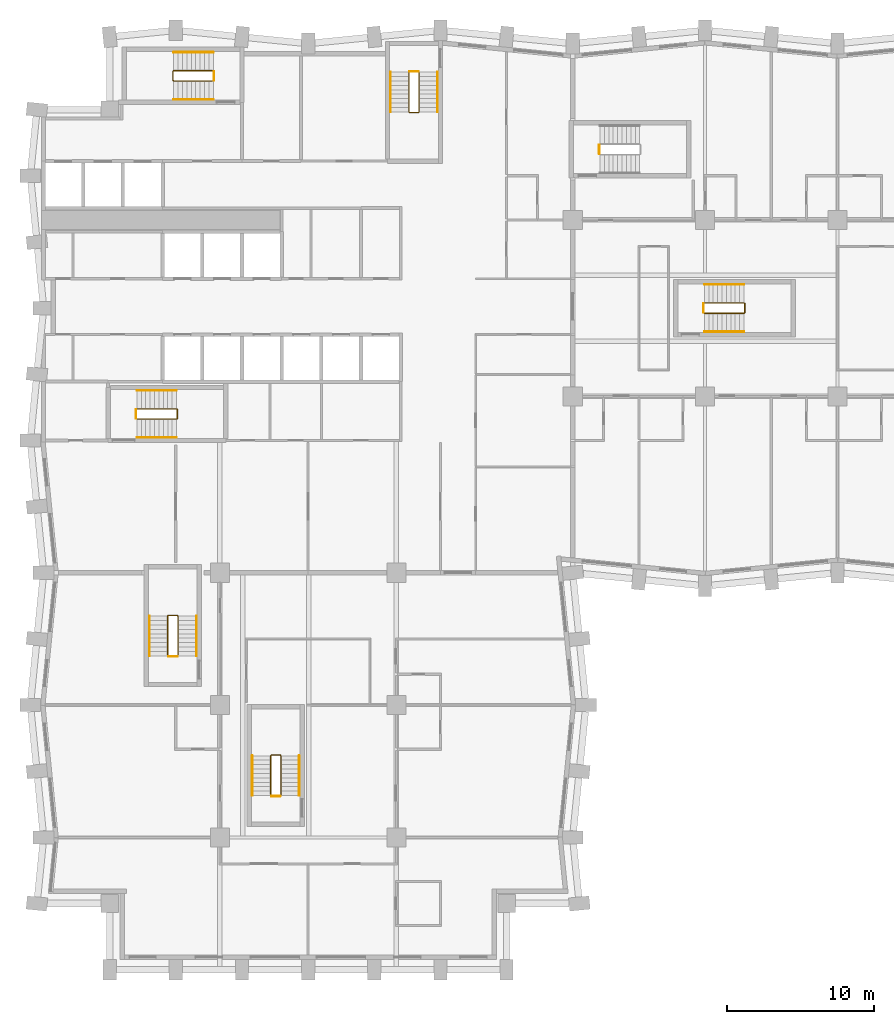
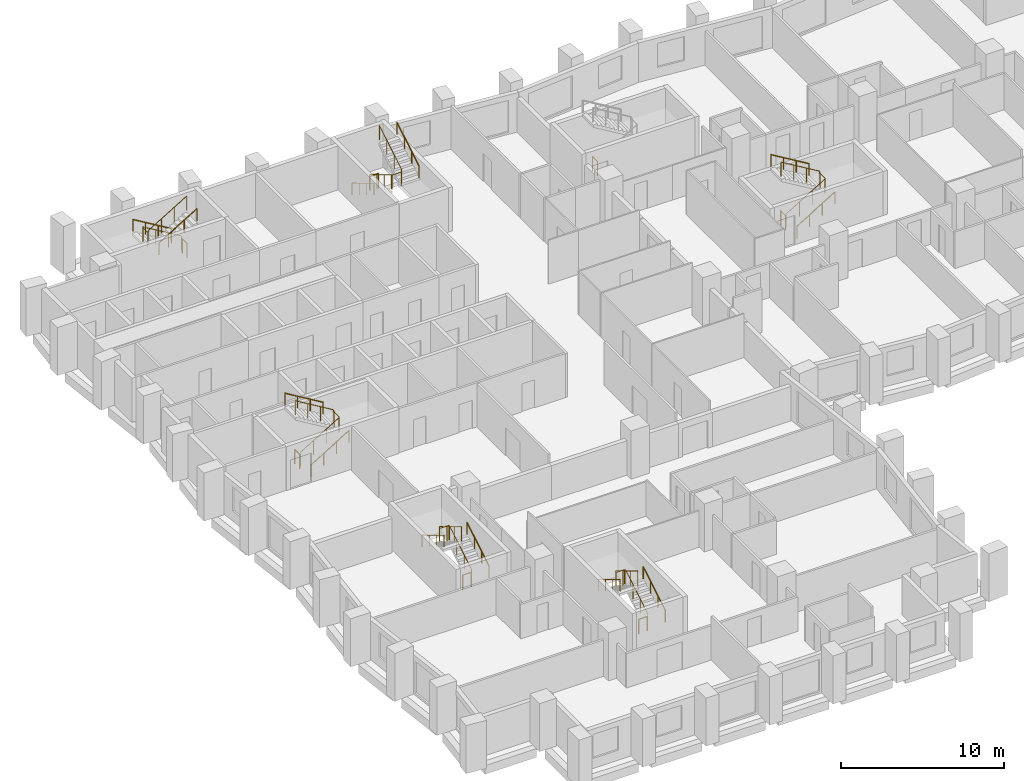
# One storey, part 12 of 13: 25 railings.
"""IFC4 building model written with IfcOpenShell, lengths in metres."""

import ifcopenshell
import ifcopenshell.guid

model = None  # the IFC model being written
_history = None  # IfcOwnerHistory: only IFC2X3 demands one
_inside = {}  # id of a spatial element -> (the spatial element, [elements in it])
_under = {}  # id of a project, library or spatial element -> (it, [spatial elements below it])
_declared = {}  # id of a project -> (the project, [libraries it declares])
_typed = {}  # id of a type object -> (the type object, [elements of that type])
_made_of = {}  # id of a material, layer set ... -> (it, [elements and type objects made of it])


def new_model(schema):
    """Start an empty IFC model of exactly this schema.

    Asked for "IFC4X3", IfcOpenShell would pick the latest addendum, in which some entities
    have other attributes; the version numbers below select the first issue.
    IFC2X3 requires an IfcOwnerHistory on every rooted entity: one is made here for all.
    """
    global model, _history
    if schema == "IFC4X3":
        model = ifcopenshell.file(schema_version=(4, 3, 0, 0))
    else:
        model = ifcopenshell.file(schema=schema)
    _inside.clear()
    _under.clear()
    _declared.clear()
    _typed.clear()
    _made_of.clear()
    _history = None
    if model.schema == "IFC2X3":
        org = make("IfcOrganization", Name="unknown")
        user = make(
            "IfcPersonAndOrganization",
            ThePerson=make("IfcPerson", FamilyName="unknown"),
            TheOrganization=org,
        )
        app = make(
            "IfcApplication",
            ApplicationDeveloper=org,
            Version="unknown",
            ApplicationFullName="unknown",
            ApplicationIdentifier="unknown",
        )
        _history = make(
            "IfcOwnerHistory",
            OwningUser=user,
            OwningApplication=app,
            ChangeAction="ADDED",
            CreationDate=0,
        )
    return model


def make(cls, **values):
    """One entity of the class cls with the attributes given. An attribute that is None is left unset."""
    return model.create_entity(
        cls, **{name: value for name, value in values.items() if value is not None}
    )


def rooted(cls, **values):
    """An entity with a GlobalId (a new one), such as an element, a storey or a relation."""
    return make(cls, GlobalId=ifcopenshell.guid.new(), OwnerHistory=_history, **values)


def si_unit(unit_type, name, prefix=None):
    """IfcSIUnit, for example si_unit("LENGTHUNIT", "METRE", prefix="MILLI")."""
    return make("IfcSIUnit", UnitType=unit_type, Prefix=prefix, Name=name)


def assignment(units):
    """IfcUnitAssignment: the units of a project."""
    return None if units is None else make("IfcUnitAssignment", Units=units)


def point(xyz):
    """IfcCartesianPoint."""
    return None if xyz is None else make("IfcCartesianPoint", Coordinates=xyz)


def direction(xyz):
    """IfcDirection."""
    return None if xyz is None else make("IfcDirection", DirectionRatios=xyz)


def frame(location, z_axis=None, x_axis=None):
    """IfcAxis2Placement3D, a coordinate frame: its origin and axes. An axis left out is left unset."""
    return make(
        "IfcAxis2Placement3D",
        Location=point(location),
        Axis=direction(z_axis),
        RefDirection=direction(x_axis),
    )


def frame_2d(location, x_axis=None):
    """IfcAxis2Placement2D, a coordinate frame in the plane: its origin and x axis."""
    return make(
        "IfcAxis2Placement2D", Location=point(location), RefDirection=direction(x_axis)
    )


def origin():
    """The frame at (0, 0, 0) with its axes left unset."""
    return frame((0.0, 0.0, 0.0))


def origin_2d():
    """The frame at (0, 0) in the plane with its x axis left unset."""
    return frame_2d((0.0, 0.0))


def place(relative_to, where):
    """IfcLocalPlacement: puts the frame where relative to a parent placement (None: the world)."""
    return make(
        "IfcLocalPlacement", PlacementRelTo=relative_to, RelativePlacement=where
    )


def context(
    kind, dimensions, precision=None, world=None, true_north=None, identifier=None
):
    """IfcGeometricRepresentationContext, for example the 3D "Model" context."""
    return make(
        "IfcGeometricRepresentationContext",
        ContextIdentifier=identifier,
        ContextType=kind,
        CoordinateSpaceDimension=dimensions,
        Precision=precision,
        WorldCoordinateSystem=world,
        TrueNorth=true_north,
    )


def subcontext(parent, identifier, kind, view, scale=None):
    """IfcGeometricRepresentationSubContext, for example "Body" below "Model"."""
    return make(
        "IfcGeometricRepresentationSubContext",
        ContextIdentifier=identifier,
        ContextType=kind,
        ParentContext=parent,
        TargetScale=scale,
        TargetView=view,
    )


def project(units=None, contexts=None):
    """IfcProject with its units and contexts."""
    return rooted(
        "IfcProject",
        Name="project",
        RepresentationContexts=contexts,
        UnitsInContext=assignment(units),
    )


def spatial(cls, under=None, at=None, **own):
    """A site, building, storey or space (cls), placed at a placement, below another one or the project."""
    s = rooted(cls, ObjectPlacement=at, **own)
    if under is not None:
        _under.setdefault(under.id(), (under, []))[1].append(s)
    return s


def profile(cls, at=None, kind="AREA", **sizes):
    """A parametric profile (cls). Its sizes go by their IFC names, for example OverallWidth=200.0."""
    return make(cls, ProfileType=kind, Position=at, **sizes)


def circle(**sizes):
    """IfcCircleProfileDef."""
    return profile("IfcCircleProfileDef", **sizes)


def extrude(swept, where, along, depth):
    """IfcExtrudedAreaSolid: the profile swept, set in the frame where, extruded along a direction by depth."""
    return make(
        "IfcExtrudedAreaSolid",
        SweptArea=swept,
        Position=where,
        ExtrudedDirection=direction(along),
        Depth=depth,
    )


def shape(context_of_items, identifier, shape_type, items):
    """IfcShapeRepresentation: the items that make up one representation, for example the "Body"."""
    return make(
        "IfcShapeRepresentation",
        ContextOfItems=context_of_items,
        RepresentationIdentifier=identifier,
        RepresentationType=shape_type,
        Items=items,
    )


def material(Name=None, Category=None):
    """IfcMaterial."""
    return make("IfcMaterial", Name=Name, Category=Category)


def made_of(thing, what):
    """Note that an element or type object is made of a material, layer set ...; save() writes the relation."""
    if what is not None:
        _made_of.setdefault(what.id(), (what, []))[1].append(thing)
    return thing


def type_object(cls, material=None, **own):
    """A type object (cls), such as IfcWallType, which elements share."""
    return made_of(rooted(cls, **own), material)


def element(
    cls,
    number,
    at=None,
    inside=None,
    cuts=None,
    type_object=None,
    material=None,
    context=None,
    identifier="Body",
    shape_type=None,
    held_by="IfcProductDefinitionShape",
    body=None,
    shapes=None,
    **own,
):
    """One element of the class cls, such as IfcWall. Its Tag is "e" and its number.

    at: its placement. inside: the storey or other place that contains it. cuts: it is an
    opening in that element (IfcRelVoidsElement). A single representation is given by context,
    identifier, shape_type and body (its items); several are given by shapes. held_by: the class
    of the entity that holds the representations. save() writes the other relations.
    """
    e = rooted(cls, Tag="e%d" % number, ObjectPlacement=at, **own)
    if body is not None:
        shapes = [shape(context, identifier, shape_type, body)]
    if shapes is not None:
        e.Representation = make(held_by, Representations=shapes)
    if inside is not None:
        _inside.setdefault(inside.id(), (inside, []))[1].append(e)
    if cuts is not None:
        rooted(
            "IfcRelVoidsElement", RelatingBuildingElement=cuts, RelatedOpeningElement=e
        )
    if type_object is not None:
        _typed.setdefault(type_object.id(), (type_object, []))[1].append(e)
    return made_of(e, material)


def aggregate(whole, parts):
    """IfcRelAggregates: a whole, such as a stair, and the parts it consists of."""
    return rooted("IfcRelAggregates", RelatingObject=whole, RelatedObjects=parts)


def save(model, path):
    """Write the relations noted so far, then the file.

    IfcRelAggregates (storeys below a building ...), IfcRelContainedInSpatialStructure (elements
    in a storey), IfcRelDefinesByType, IfcRelAssociatesMaterial and IfcRelDeclares: one each for
    every whole, place, type object, material and project.
    """
    for whole, parts in _under.values():
        aggregate(whole, parts)
    for where, things in _inside.values():
        rooted(
            "IfcRelContainedInSpatialStructure",
            RelatedElements=things,
            RelatingStructure=where,
        )
    for kind, things in _typed.values():
        rooted("IfcRelDefinesByType", RelatedObjects=things, RelatingType=kind)
    for what, things in _made_of.values():
        rooted("IfcRelAssociatesMaterial", RelatedObjects=things, RelatingMaterial=what)
    for by, libraries in _declared.values():
        rooted("IfcRelDeclares", RelatingContext=by, RelatedDefinitions=libraries)
    model.write(path)


model = new_model("IFC4")

# Units and contexts
model_context = context("Model", 3, precision=1e-05, world=origin(), true_north=direction((0.0, 1.0)))
body_context = subcontext(model_context, "Body", "Model", "MODEL_VIEW")
ifc_project = project(units=[si_unit("LENGTHUNIT", "METRE"), si_unit("AREAUNIT", "SQUARE_METRE"), si_unit("VOLUMEUNIT", "CUBIC_METRE"), si_unit("PLANEANGLEUNIT", "RADIAN"), si_unit("MASSUNIT", "GRAM", prefix="KILO")], contexts=[model_context])

# Site, building, storey
site_placement = place(None, origin())
site = spatial("IfcSite", under=ifc_project, at=site_placement, CompositionType="ELEMENT")
building_placement = place(site_placement, origin())
building = spatial("IfcBuilding", under=site, at=building_placement, Name="Brondeck Convention Tower", CompositionType="ELEMENT")
storey_placement = place(building_placement, frame((0.0, 0.0, 48.300048828125)))
storey = spatial("IfcBuildingStorey", under=building, at=storey_placement, Name="L09", CompositionType="ELEMENT", Elevation=48.300048828125)

# Railings
ifc_material = material(Name="Steel S355", Category="steel")
railing_type_1 = type_object("IfcRailingType", Name="Stair guard 1100", PredefinedType="GUARDRAIL", material=ifc_material)
railing_1_placement = place(storey_placement, frame((6.35009765625, 37.449951171875, 0.179931640625)))
element("IfcRailing", 1, at=railing_1_placement, inside=storey, type_object=railing_type_1, Name="L09 ST-1 stair guard 1", PredefinedType="GUARDRAIL", context=body_context, shape_type="SweptSolid", body=[
    extrude(circle(Radius=0.02392578125, at=origin_2d()), frame((0.0, 0.0, 1.076171875), z_axis=(0.857472400752, 0.0, 0.514529962148), x_axis=(0.0, 1.0, 0.0)), (0.0, 0.0, 1.0), 3.148681640625),
    extrude(circle(Radius=0.02392578125, at=origin_2d()), frame((2.699951171875, 0.0, 2.6962890625), z_axis=(0.707106781187, 0.707106781187, 0.0), x_axis=(-0.707106781187, 0.707106781187, 0.0)), (0.0, 0.0, 1.0), 0.07080078125),
    extrude(circle(Radius=0.02392578125, at=origin_2d()), frame((2.75, 0.050048828125, 2.6962890625), z_axis=(0.0, 1.0, 0.0), x_axis=(-1.0, 0.0, 0.0)), (0.0, 0.0, 1.0), 0.60009765625),
    extrude(circle(Radius=0.02392578125, at=origin_2d()), frame((2.75, 0.650146484375, 2.6962890625), z_axis=(-0.258932105505, 0.257669022063, 0.930892496375), x_axis=(-0.705375805398, -0.708833529934, 0.0)), (0.0, 0.0, 1.0), 0.193359375),
    extrude(circle(Radius=0.02392578125, at=origin_2d()), frame((2.699951171875, 0.699951171875, 2.8759765625), z_axis=(-0.857506608807, 0.0, 0.514472949583), x_axis=(0.0, -1.0, 0.0)), (0.0, 0.0, 1.0), 3.148681640625),
    extrude(circle(Radius=0.02099609375, at=origin_2d()), origin(), (0.0, 0.0, 1.0), 1.052001953125),
    extrude(circle(Radius=0.02099609375, at=origin_2d()), frame((0.89990234375, 0.0, 0.5400390625)), (0.0, 0.0, 1.0), 1.052001953125),
    extrude(circle(Radius=0.02099609375, at=origin_2d()), frame((1.800048828125, 0.0, 1.080078125)), (0.0, 0.0, 1.0), 1.052001953125),
    extrude(circle(Radius=0.02099609375, at=origin_2d()), frame((2.699951171875, 0.0, 1.6201171875)), (0.0, 0.0, 1.0), 1.052001953125),
    extrude(circle(Radius=0.02099609375, at=origin_2d()), frame((2.75, 0.050048828125, 1.6201171875)), (0.0, 0.0, 1.0), 1.052001953125),
    extrude(circle(Radius=0.02099609375, at=origin_2d()), frame((2.75, 0.650146484375, 1.6201171875)), (0.0, 0.0, 1.0), 1.052001953125),
    extrude(circle(Radius=0.02099609375, at=origin_2d()), frame((2.699951171875, 0.699951171875, 1.800048828125)), (0.0, 0.0, 1.0), 1.052001953125),
    extrude(circle(Radius=0.02099609375, at=origin_2d()), frame((1.800048828125, 0.699951171875, 2.340087890625)), (0.0, 0.0, 1.0), 1.052001953125),
    extrude(circle(Radius=0.02099609375, at=origin_2d()), frame((0.89990234375, 0.699951171875, 2.8798828125)), (0.0, 0.0, 1.0), 1.052001953125),
    extrude(circle(Radius=0.02099609375, at=origin_2d()), frame((0.0, 0.699951171875, 3.419921875)), (0.0, 0.0, 1.0), 1.052001953125),
])
railing_2_placement = place(storey_placement, frame((6.300048828125, 37.5, 0.0)))
element("IfcRailing", 2, at=railing_2_placement, inside=storey, type_object=railing_type_1, Name="L09 ST-1 stair guard 2", PredefinedType="GUARDRAIL", context=body_context, shape_type="SweptSolid", body=[
    extrude(circle(Radius=0.02392578125, at=origin_2d()), frame((0.0, 0.0, 1.076171875), z_axis=(0.0, 1.0, 0.0), x_axis=(-1.0, 0.0, 0.0)), (0.0, 0.0, 1.0), 0.60009765625),
    extrude(circle(Radius=0.02099609375, at=origin_2d()), origin(), (0.0, 0.0, 1.0), 1.052001953125),
    extrude(circle(Radius=0.02099609375, at=origin_2d()), frame((0.0, 0.60009765625, 0.0)), (0.0, 0.0, 1.0), 1.052001953125),
])
railing_3_placement = place(storey_placement, frame((24.85009765625, 61.050048828125, 0.179931640625)))
element("IfcRailing", 3, at=railing_3_placement, inside=storey, type_object=railing_type_1, Name="L09 ST-2 stair guard 1", PredefinedType="GUARDRAIL", context=body_context, shape_type="SweptSolid", body=[
    extrude(circle(Radius=0.02392578125, at=origin_2d()), frame((0.0, 0.0, 1.076171875), z_axis=(0.0, -0.857472400752, 0.514529962148), x_axis=(1.0, 0.0, 0.0)), (0.0, 0.0, 1.0), 3.148681640625),
    extrude(circle(Radius=0.02392578125, at=origin_2d()), frame((0.0, -2.699951171875, 2.6962890625), z_axis=(0.705375805398, -0.708833529934, 0.0), x_axis=(0.708833529934, 0.705375805398, 0.0)), (0.0, 0.0, 1.0), 0.070556640625),
    extrude(circle(Radius=0.02392578125, at=origin_2d()), frame((0.0498046875, -2.75, 2.6962890625), z_axis=(1.0, 0.0, 0.0), x_axis=(0.0, 1.0, 0.0)), (0.0, 0.0, 1.0), 0.60009765625),
    extrude(circle(Radius=0.02392578125, at=origin_2d()), frame((0.64990234375, -2.75, 2.6962890625), z_axis=(0.258847668887, 0.258847668887, 0.930588936439), x_axis=(-0.707106781187, 0.707106781187, 0.0)), (0.0, 0.0, 1.0), 0.193359375),
    extrude(circle(Radius=0.02392578125, at=origin_2d()), frame((0.699951171875, -2.699951171875, 2.8759765625), z_axis=(0.0, 0.857506608807, 0.514472949583), x_axis=(-1.0, 0.0, 0.0)), (0.0, 0.0, 1.0), 3.148681640625),
    extrude(circle(Radius=0.02099609375, at=origin_2d()), origin(), (0.0, 0.0, 1.0), 1.052001953125),
    extrude(circle(Radius=0.02099609375, at=origin_2d()), frame((0.0, -0.89990234375, 0.5400390625)), (0.0, 0.0, 1.0), 1.052001953125),
    extrude(circle(Radius=0.02099609375, at=origin_2d()), frame((0.0, -1.800048828125, 1.080078125)), (0.0, 0.0, 1.0), 1.052001953125),
    extrude(circle(Radius=0.02099609375, at=origin_2d()), frame((0.0, -2.699951171875, 1.6201171875)), (0.0, 0.0, 1.0), 1.052001953125),
    extrude(circle(Radius=0.02099609375, at=origin_2d()), frame((0.0498046875, -2.75, 1.6201171875)), (0.0, 0.0, 1.0), 1.052001953125),
    extrude(circle(Radius=0.02099609375, at=origin_2d()), frame((0.64990234375, -2.75, 1.6201171875)), (0.0, 0.0, 1.0), 1.052001953125),
    extrude(circle(Radius=0.02099609375, at=origin_2d()), frame((0.699951171875, -2.699951171875, 1.800048828125)), (0.0, 0.0, 1.0), 1.052001953125),
    extrude(circle(Radius=0.02099609375, at=origin_2d()), frame((0.699951171875, -1.800048828125, 2.340087890625)), (0.0, 0.0, 1.0), 1.052001953125),
    extrude(circle(Radius=0.02099609375, at=origin_2d()), frame((0.699951171875, -0.89990234375, 2.8798828125)), (0.0, 0.0, 1.0), 1.052001953125),
    extrude(circle(Radius=0.02099609375, at=origin_2d()), frame((0.699951171875, 0.0, 3.419921875)), (0.0, 0.0, 1.0), 1.052001953125),
])
railing_4_placement = place(storey_placement, frame((24.89990234375, 61.10009765625, 0.0)))
element("IfcRailing", 4, at=railing_4_placement, inside=storey, type_object=railing_type_1, Name="L09 ST-2 stair guard 2", PredefinedType="GUARDRAIL", context=body_context, shape_type="SweptSolid", body=[
    extrude(circle(Radius=0.02392578125, at=origin_2d()), frame((0.0, 0.0, 1.076171875), z_axis=(1.0, 0.0, 0.0), x_axis=(0.0, 1.0, 0.0)), (0.0, 0.0, 1.0), 0.60009765625),
    extrude(circle(Radius=0.02099609375, at=origin_2d()), origin(), (0.0, 0.0, 1.0), 1.052001953125),
    extrude(circle(Radius=0.02099609375, at=origin_2d()), frame((0.60009765625, 0.0, 0.0)), (0.0, 0.0, 1.0), 1.052001953125),
])
railing_5_placement = place(storey_placement, frame((11.550048828125, 61.14990234375, 0.179931640625)))
element("IfcRailing", 5, at=railing_5_placement, inside=storey, type_object=railing_type_1, Name="L09 ST-3 stair guard 1", PredefinedType="GUARDRAIL", context=body_context, shape_type="SweptSolid", body=[
    extrude(circle(Radius=0.02392578125, at=origin_2d()), frame((0.0, 0.0, 1.076171875), z_axis=(-0.857472400752, 0.0, 0.514529962148), x_axis=(0.0, -1.0, 0.0)), (0.0, 0.0, 1.0), 3.148681640625),
    extrude(circle(Radius=0.02392578125, at=origin_2d()), frame((-2.699951171875, 0.0, 2.6962890625), z_axis=(-0.708833529934, -0.705375805398, 0.0), x_axis=(0.705375805398, -0.708833529934, 0.0)), (0.0, 0.0, 1.0), 0.070556640625),
    extrude(circle(Radius=0.02392578125, at=origin_2d()), frame((-2.75, -0.0498046875, 2.6962890625), z_axis=(0.0, -1.0, 0.0), x_axis=(1.0, 0.0, 0.0)), (0.0, 0.0, 1.0), 0.60009765625),
    extrude(circle(Radius=0.02392578125, at=origin_2d()), frame((-2.75, -0.64990234375, 2.6962890625), z_axis=(0.258847668887, -0.258847668887, 0.930588936439), x_axis=(0.707106781187, 0.707106781187, 0.0)), (0.0, 0.0, 1.0), 0.193359375),
    extrude(circle(Radius=0.02392578125, at=origin_2d()), frame((-2.699951171875, -0.699951171875, 2.8759765625), z_axis=(0.857506608807, 0.0, 0.514472949583), x_axis=(0.0, 1.0, 0.0)), (0.0, 0.0, 1.0), 3.148681640625),
    extrude(circle(Radius=0.02099609375, at=origin_2d()), origin(), (0.0, 0.0, 1.0), 1.052001953125),
    extrude(circle(Radius=0.02099609375, at=origin_2d()), frame((-0.89990234375, 0.0, 0.5400390625)), (0.0, 0.0, 1.0), 1.052001953125),
    extrude(circle(Radius=0.02099609375, at=origin_2d()), frame((-1.800048828125, 0.0, 1.080078125)), (0.0, 0.0, 1.0), 1.052001953125),
    extrude(circle(Radius=0.02099609375, at=origin_2d()), frame((-2.699951171875, 0.0, 1.6201171875)), (0.0, 0.0, 1.0), 1.052001953125),
    extrude(circle(Radius=0.02099609375, at=origin_2d()), frame((-2.75, -0.0498046875, 1.6201171875)), (0.0, 0.0, 1.0), 1.052001953125),
    extrude(circle(Radius=0.02099609375, at=origin_2d()), frame((-2.75, -0.64990234375, 1.6201171875)), (0.0, 0.0, 1.0), 1.052001953125),
    extrude(circle(Radius=0.02099609375, at=origin_2d()), frame((-2.699951171875, -0.699951171875, 1.800048828125)), (0.0, 0.0, 1.0), 1.052001953125),
    extrude(circle(Radius=0.02099609375, at=origin_2d()), frame((-1.800048828125, -0.699951171875, 2.340087890625)), (0.0, 0.0, 1.0), 1.052001953125),
    extrude(circle(Radius=0.02099609375, at=origin_2d()), frame((-0.89990234375, -0.699951171875, 2.8798828125)), (0.0, 0.0, 1.0), 1.052001953125),
    extrude(circle(Radius=0.02099609375, at=origin_2d()), frame((0.0, -0.699951171875, 3.419921875)), (0.0, 0.0, 1.0), 1.052001953125),
])
railing_6_placement = place(storey_placement, frame((11.60009765625, 61.10009765625, 0.0)))
element("IfcRailing", 6, at=railing_6_placement, inside=storey, type_object=railing_type_1, Name="L09 ST-3 stair guard 2", PredefinedType="GUARDRAIL", context=body_context, shape_type="SweptSolid", body=[
    extrude(circle(Radius=0.02392578125, at=origin_2d()), frame((0.0, 0.0, 1.076171875), z_axis=(0.0, -1.0, 0.0), x_axis=(1.0, 0.0, 0.0)), (0.0, 0.0, 1.0), 0.60009765625),
    extrude(circle(Radius=0.02099609375, at=origin_2d()), origin(), (0.0, 0.0, 1.0), 1.052001953125),
    extrude(circle(Radius=0.02099609375, at=origin_2d()), frame((0.0, -0.60009765625, 0.0)), (0.0, 0.0, 1.0), 1.052001953125),
])
railing_7_placement = place(storey_placement, frame((37.800048828125, 55.5, 0.0)))
element("IfcRailing", 7, at=railing_7_placement, inside=storey, type_object=railing_type_1, Name="L09 ST-AE stair guard 2", PredefinedType="GUARDRAIL", context=body_context, shape_type="SweptSolid", body=[
    extrude(circle(Radius=0.02392578125, at=origin_2d()), frame((0.0, 0.0, 1.076171875), z_axis=(0.0, 1.0, 0.0), x_axis=(-1.0, 0.0, 0.0)), (0.0, 0.0, 1.0), 0.60009765625),
    extrude(circle(Radius=0.02099609375, at=origin_2d()), origin(), (0.0, 0.0, 1.0), 1.052001953125),
    extrude(circle(Radius=0.02099609375, at=origin_2d()), frame((0.0, 0.60009765625, 0.0)), (0.0, 0.0, 1.0), 1.052001953125),
])
railing_8_placement = place(storey_placement, frame((9.14990234375, 21.35009765625, 0.179931640625)))
element("IfcRailing", 8, at=railing_8_placement, inside=storey, type_object=railing_type_1, Name="L09 ST-BE stair guard 1", PredefinedType="GUARDRAIL", context=body_context, shape_type="SweptSolid", body=[
    extrude(circle(Radius=0.02392578125, at=origin_2d()), frame((0.0, 0.0, 1.076171875), z_axis=(0.0, 0.857472400752, 0.514529962148), x_axis=(-1.0, 0.0, 0.0)), (0.0, 0.0, 1.0), 3.148681640625),
    extrude(circle(Radius=0.02392578125, at=origin_2d()), frame((0.0, 2.699951171875, 2.6962890625), z_axis=(-0.705375805398, 0.708833529934, 0.0), x_axis=(-0.708833529934, -0.705375805398, 0.0)), (0.0, 0.0, 1.0), 0.070556640625),
    extrude(circle(Radius=0.02392578125, at=origin_2d()), frame((-0.0498046875, 2.75, 2.6962890625), z_axis=(-1.0, 0.0, 0.0), x_axis=(0.0, -1.0, 0.0)), (0.0, 0.0, 1.0), 0.60009765625),
    extrude(circle(Radius=0.02392578125, at=origin_2d()), frame((-0.64990234375, 2.75, 2.6962890625), z_axis=(-0.258847668887, -0.258847668887, 0.930588936439), x_axis=(0.707106781187, -0.707106781187, 0.0)), (0.0, 0.0, 1.0), 0.193359375),
    extrude(circle(Radius=0.02392578125, at=origin_2d()), frame((-0.699951171875, 2.699951171875, 2.8759765625), z_axis=(0.0, -0.857506608807, 0.514472949583), x_axis=(1.0, 0.0, 0.0)), (0.0, 0.0, 1.0), 3.148681640625),
    extrude(circle(Radius=0.02099609375, at=origin_2d()), origin(), (0.0, 0.0, 1.0), 1.052001953125),
    extrude(circle(Radius=0.02099609375, at=origin_2d()), frame((0.0, 0.89990234375, 0.5400390625)), (0.0, 0.0, 1.0), 1.052001953125),
    extrude(circle(Radius=0.02099609375, at=origin_2d()), frame((0.0, 1.800048828125, 1.080078125)), (0.0, 0.0, 1.0), 1.052001953125),
    extrude(circle(Radius=0.02099609375, at=origin_2d()), frame((0.0, 2.699951171875, 1.6201171875)), (0.0, 0.0, 1.0), 1.052001953125),
    extrude(circle(Radius=0.02099609375, at=origin_2d()), frame((-0.0498046875, 2.75, 1.6201171875)), (0.0, 0.0, 1.0), 1.052001953125),
    extrude(circle(Radius=0.02099609375, at=origin_2d()), frame((-0.64990234375, 2.75, 1.6201171875)), (0.0, 0.0, 1.0), 1.052001953125),
    extrude(circle(Radius=0.02099609375, at=origin_2d()), frame((-0.699951171875, 2.699951171875, 1.800048828125)), (0.0, 0.0, 1.0), 1.052001953125),
    extrude(circle(Radius=0.02099609375, at=origin_2d()), frame((-0.699951171875, 1.800048828125, 2.340087890625)), (0.0, 0.0, 1.0), 1.052001953125),
    extrude(circle(Radius=0.02099609375, at=origin_2d()), frame((-0.699951171875, 0.89990234375, 2.8798828125)), (0.0, 0.0, 1.0), 1.052001953125),
    extrude(circle(Radius=0.02099609375, at=origin_2d()), frame((-0.699951171875, 0.0, 3.419921875)), (0.0, 0.0, 1.0), 1.052001953125),
])
railing_9_placement = place(storey_placement, frame((9.10009765625, 21.300048828125, 0.0)))
element("IfcRailing", 9, at=railing_9_placement, inside=storey, type_object=railing_type_1, Name="L09 ST-BE stair guard 2", PredefinedType="GUARDRAIL", context=body_context, shape_type="SweptSolid", body=[
    extrude(circle(Radius=0.02392578125, at=origin_2d()), frame((0.0, 0.0, 1.076171875), z_axis=(-1.0, 0.0, 0.0), x_axis=(0.0, -1.0, 0.0)), (0.0, 0.0, 1.0), 0.60009765625),
    extrude(circle(Radius=0.02099609375, at=origin_2d()), origin(), (0.0, 0.0, 1.0), 1.052001953125),
    extrude(circle(Radius=0.02099609375, at=origin_2d()), frame((-0.60009765625, 0.0, 0.0)), (0.0, 0.0, 1.0), 1.052001953125),
])
railing_10_placement = place(storey_placement, frame((44.949951171875, 44.64990234375, 0.179931640625)))
element("IfcRailing", 10, at=railing_10_placement, inside=storey, type_object=railing_type_1, Name="L09 ST-AF stair guard 1", PredefinedType="GUARDRAIL", context=body_context, shape_type="SweptSolid", body=[
    extrude(circle(Radius=0.02392578125, at=origin_2d()), frame((0.0, 0.0, 1.076171875), z_axis=(0.857472400752, 0.0, 0.514529962148), x_axis=(0.0, 1.0, 0.0)), (0.0, 0.0, 1.0), 3.148681640625),
    extrude(circle(Radius=0.02392578125, at=origin_2d()), frame((2.699951171875, 0.0, 2.6962890625), z_axis=(0.707106781187, 0.707106781187, 0.0), x_axis=(-0.707106781187, 0.707106781187, 0.0)), (0.0, 0.0, 1.0), 0.07080078125),
    extrude(circle(Radius=0.02392578125, at=origin_2d()), frame((2.75, 0.050048828125, 2.6962890625), z_axis=(0.0, 1.0, 0.0), x_axis=(-1.0, 0.0, 0.0)), (0.0, 0.0, 1.0), 0.60009765625),
    extrude(circle(Radius=0.02392578125, at=origin_2d()), frame((2.75, 0.650146484375, 2.6962890625), z_axis=(-0.258847668887, 0.258847668887, 0.930588936439), x_axis=(-0.707106781187, -0.707106781187, 0.0)), (0.0, 0.0, 1.0), 0.193359375),
    extrude(circle(Radius=0.02392578125, at=origin_2d()), frame((2.699951171875, 0.7001953125, 2.8759765625), z_axis=(-0.857506608807, 0.0, 0.514472949583), x_axis=(0.0, -1.0, 0.0)), (0.0, 0.0, 1.0), 3.148681640625),
    extrude(circle(Radius=0.02099609375, at=origin_2d()), origin(), (0.0, 0.0, 1.0), 1.052001953125),
    extrude(circle(Radius=0.02099609375, at=origin_2d()), frame((0.89990234375, 0.0, 0.5400390625)), (0.0, 0.0, 1.0), 1.052001953125),
    extrude(circle(Radius=0.02099609375, at=origin_2d()), frame((1.800048828125, 0.0, 1.080078125)), (0.0, 0.0, 1.0), 1.052001953125),
    extrude(circle(Radius=0.02099609375, at=origin_2d()), frame((2.699951171875, 0.0, 1.6201171875)), (0.0, 0.0, 1.0), 1.052001953125),
    extrude(circle(Radius=0.02099609375, at=origin_2d()), frame((2.75, 0.050048828125, 1.6201171875)), (0.0, 0.0, 1.0), 1.052001953125),
    extrude(circle(Radius=0.02099609375, at=origin_2d()), frame((2.75, 0.650146484375, 1.6201171875)), (0.0, 0.0, 1.0), 1.052001953125),
    extrude(circle(Radius=0.02099609375, at=origin_2d()), frame((2.699951171875, 0.7001953125, 1.800048828125)), (0.0, 0.0, 1.0), 1.052001953125),
    extrude(circle(Radius=0.02099609375, at=origin_2d()), frame((1.800048828125, 0.7001953125, 2.340087890625)), (0.0, 0.0, 1.0), 1.052001953125),
    extrude(circle(Radius=0.02099609375, at=origin_2d()), frame((0.89990234375, 0.7001953125, 2.8798828125)), (0.0, 0.0, 1.0), 1.052001953125),
    extrude(circle(Radius=0.02099609375, at=origin_2d()), frame((0.0, 0.7001953125, 3.419921875)), (0.0, 0.0, 1.0), 1.052001953125),
])
railing_11_placement = place(storey_placement, frame((44.89990234375, 44.699951171875, 0.0)))
element("IfcRailing", 11, at=railing_11_placement, inside=storey, type_object=railing_type_1, Name="L09 ST-AF stair guard 2", PredefinedType="GUARDRAIL", context=body_context, shape_type="SweptSolid", body=[
    extrude(circle(Radius=0.02392578125, at=origin_2d()), frame((0.0, 0.0, 1.076171875), z_axis=(0.0, 1.0, 0.0), x_axis=(-1.0, 0.0, 0.0)), (0.0, 0.0, 1.0), 0.60009765625),
    extrude(circle(Radius=0.02099609375, at=origin_2d()), origin(), (0.0, 0.0, 1.0), 1.052001953125),
    extrude(circle(Radius=0.02099609375, at=origin_2d()), frame((0.0, 0.60009765625, 0.0)), (0.0, 0.0, 1.0), 1.052001953125),
])
railing_12_placement = place(storey_placement, frame((16.14990234375, 11.85009765625, 0.179931640625)))
element("IfcRailing", 12, at=railing_12_placement, inside=storey, type_object=railing_type_1, Name="L09 ST-BF stair guard 1", PredefinedType="GUARDRAIL", context=body_context, shape_type="SweptSolid", body=[
    extrude(circle(Radius=0.02392578125, at=origin_2d()), frame((0.0, 0.0, 1.076171875), z_axis=(0.0, 0.857472400752, 0.514529962148), x_axis=(-1.0, 0.0, 0.0)), (0.0, 0.0, 1.0), 3.148681640625),
    extrude(circle(Radius=0.02392578125, at=origin_2d()), frame((0.0, 2.699951171875, 2.6962890625), z_axis=(-0.705375805398, 0.708833529934, 0.0), x_axis=(-0.708833529934, -0.705375805398, 0.0)), (0.0, 0.0, 1.0), 0.070556640625),
    extrude(circle(Radius=0.02392578125, at=origin_2d()), frame((-0.0498046875, 2.75, 2.6962890625), z_axis=(-1.0, 0.0, 0.0), x_axis=(0.0, -1.0, 0.0)), (0.0, 0.0, 1.0), 0.60009765625),
    extrude(circle(Radius=0.02392578125, at=origin_2d()), frame((-0.64990234375, 2.75, 2.6962890625), z_axis=(-0.258847668887, -0.258847668887, 0.930588936439), x_axis=(0.707106781187, -0.707106781187, 0.0)), (0.0, 0.0, 1.0), 0.193359375),
    extrude(circle(Radius=0.02392578125, at=origin_2d()), frame((-0.699951171875, 2.699951171875, 2.8759765625), z_axis=(0.0, -0.857506608807, 0.514472949583), x_axis=(1.0, 0.0, 0.0)), (0.0, 0.0, 1.0), 3.148681640625),
    extrude(circle(Radius=0.02099609375, at=origin_2d()), origin(), (0.0, 0.0, 1.0), 1.052001953125),
    extrude(circle(Radius=0.02099609375, at=origin_2d()), frame((0.0, 0.89990234375, 0.5400390625)), (0.0, 0.0, 1.0), 1.052001953125),
    extrude(circle(Radius=0.02099609375, at=origin_2d()), frame((0.0, 1.800048828125, 1.080078125)), (0.0, 0.0, 1.0), 1.052001953125),
    extrude(circle(Radius=0.02099609375, at=origin_2d()), frame((0.0, 2.699951171875, 1.6201171875)), (0.0, 0.0, 1.0), 1.052001953125),
    extrude(circle(Radius=0.02099609375, at=origin_2d()), frame((-0.0498046875, 2.75, 1.6201171875)), (0.0, 0.0, 1.0), 1.052001953125),
    extrude(circle(Radius=0.02099609375, at=origin_2d()), frame((-0.64990234375, 2.75, 1.6201171875)), (0.0, 0.0, 1.0), 1.052001953125),
    extrude(circle(Radius=0.02099609375, at=origin_2d()), frame((-0.699951171875, 2.699951171875, 1.800048828125)), (0.0, 0.0, 1.0), 1.052001953125),
    extrude(circle(Radius=0.02099609375, at=origin_2d()), frame((-0.699951171875, 1.800048828125, 2.340087890625)), (0.0, 0.0, 1.0), 1.052001953125),
    extrude(circle(Radius=0.02099609375, at=origin_2d()), frame((-0.699951171875, 0.89990234375, 2.8798828125)), (0.0, 0.0, 1.0), 1.052001953125),
    extrude(circle(Radius=0.02099609375, at=origin_2d()), frame((-0.699951171875, 0.0, 3.419921875)), (0.0, 0.0, 1.0), 1.052001953125),
])
railing_13_placement = place(storey_placement, frame((16.10009765625, 11.800048828125, 0.0)))
element("IfcRailing", 13, at=railing_13_placement, inside=storey, type_object=railing_type_1, Name="L09 ST-BF stair guard 2", PredefinedType="GUARDRAIL", context=body_context, shape_type="SweptSolid", body=[
    extrude(circle(Radius=0.02392578125, at=origin_2d()), frame((0.0, 0.0, 1.076171875), z_axis=(-1.0, 0.0, 0.0), x_axis=(0.0, -1.0, 0.0)), (0.0, 0.0, 1.0), 0.60009765625),
    extrude(circle(Radius=0.02099609375, at=origin_2d()), origin(), (0.0, 0.0, 1.0), 1.052001953125),
    extrude(circle(Radius=0.02099609375, at=origin_2d()), frame((-0.60009765625, 0.0, 0.0)), (0.0, 0.0, 1.0), 1.052001953125),
])
railing_type_2 = type_object("IfcRailingType", Name="Stair handrail", PredefinedType="HANDRAIL", material=ifc_material)
railing_14_placement = place(storey_placement, frame((6.35009765625, 36.199951171875, 0.179931640625)))
element("IfcRailing", 14, at=railing_14_placement, inside=storey, type_object=railing_type_2, Name="L09 ST-1 stair handrail 1", PredefinedType="HANDRAIL", context=body_context, shape_type="SweptSolid", body=[
    extrude(circle(Radius=0.02392578125, at=origin_2d()), frame((0.0, 0.0, 0.8759765625), z_axis=(0.857472400752, 0.0, 0.514529962148), x_axis=(0.0, 1.0, 0.0)), (0.0, 0.0, 1.0), 3.148681640625),
    extrude(circle(Radius=0.02099609375, at=origin_2d()), origin(), (0.0, 0.0, 1.0), 0.851806640625),
    extrude(circle(Radius=0.02099609375, at=origin_2d()), frame((0.89990234375, 0.0, 0.5400390625)), (0.0, 0.0, 1.0), 0.851806640625),
    extrude(circle(Radius=0.02099609375, at=origin_2d()), frame((1.800048828125, 0.0, 1.080078125)), (0.0, 0.0, 1.0), 0.851806640625),
    extrude(circle(Radius=0.02099609375, at=origin_2d()), frame((2.699951171875, 0.0, 1.6201171875)), (0.0, 0.0, 1.0), 0.851806640625),
])
railing_15_placement = place(storey_placement, frame((9.050048828125, 39.39990234375, 1.97998046875)))
element("IfcRailing", 15, at=railing_15_placement, inside=storey, type_object=railing_type_2, Name="L09 ST-1 stair handrail 2", PredefinedType="HANDRAIL", context=body_context, shape_type="SweptSolid", body=[
    extrude(circle(Radius=0.02392578125, at=origin_2d()), frame((0.0, 0.0, 0.8759765625), z_axis=(-0.857506608807, 0.0, 0.514472949583), x_axis=(0.0, -1.0, 0.0)), (0.0, 0.0, 1.0), 3.148681640625),
    extrude(circle(Radius=0.02099609375, at=origin_2d()), origin(), (0.0, 0.0, 1.0), 0.851806640625),
    extrude(circle(Radius=0.02099609375, at=origin_2d()), frame((-0.89990234375, 0.0, 0.5400390625)), (0.0, 0.0, 1.0), 0.851806640625),
    extrude(circle(Radius=0.02099609375, at=origin_2d()), frame((-1.800048828125, 0.0, 1.079833984375)), (0.0, 0.0, 1.0), 0.851806640625),
    extrude(circle(Radius=0.02099609375, at=origin_2d()), frame((-2.699951171875, 0.0, 1.619873046875)), (0.0, 0.0, 1.0), 0.851806640625),
])
railing_16_placement = place(storey_placement, frame((23.60009765625, 61.050048828125, 0.179931640625)))
element("IfcRailing", 16, at=railing_16_placement, inside=storey, type_object=railing_type_2, Name="L09 ST-2 stair handrail 1", PredefinedType="HANDRAIL", context=body_context, shape_type="SweptSolid", body=[
    extrude(circle(Radius=0.02392578125, at=origin_2d()), frame((0.0, 0.0, 0.8759765625), z_axis=(0.0, -0.857472400752, 0.514529962148), x_axis=(1.0, 0.0, 0.0)), (0.0, 0.0, 1.0), 3.148681640625),
    extrude(circle(Radius=0.02099609375, at=origin_2d()), origin(), (0.0, 0.0, 1.0), 0.851806640625),
    extrude(circle(Radius=0.02099609375, at=origin_2d()), frame((0.0, -0.89990234375, 0.5400390625)), (0.0, 0.0, 1.0), 0.851806640625),
    extrude(circle(Radius=0.02099609375, at=origin_2d()), frame((0.0, -1.800048828125, 1.080078125)), (0.0, 0.0, 1.0), 0.851806640625),
    extrude(circle(Radius=0.02099609375, at=origin_2d()), frame((0.0, -2.699951171875, 1.6201171875)), (0.0, 0.0, 1.0), 0.851806640625),
])
railing_17_placement = place(storey_placement, frame((26.800048828125, 58.35009765625, 1.97998046875)))
element("IfcRailing", 17, at=railing_17_placement, inside=storey, type_object=railing_type_2, Name="L09 ST-2 stair handrail 2", PredefinedType="HANDRAIL", context=body_context, shape_type="SweptSolid", body=[
    extrude(circle(Radius=0.02392578125, at=origin_2d()), frame((0.0, 0.0, 0.8759765625), z_axis=(0.0, 0.857506608807, 0.514472949583), x_axis=(-1.0, 0.0, 0.0)), (0.0, 0.0, 1.0), 3.148681640625),
    extrude(circle(Radius=0.02099609375, at=origin_2d()), origin(), (0.0, 0.0, 1.0), 0.851806640625),
    extrude(circle(Radius=0.02099609375, at=origin_2d()), frame((0.0, 0.89990234375, 0.5400390625)), (0.0, 0.0, 1.0), 0.851806640625),
    extrude(circle(Radius=0.02099609375, at=origin_2d()), frame((0.0, 1.800048828125, 1.079833984375)), (0.0, 0.0, 1.0), 0.851806640625),
    extrude(circle(Radius=0.02099609375, at=origin_2d()), frame((0.0, 2.699951171875, 1.619873046875)), (0.0, 0.0, 1.0), 0.851806640625),
])
railing_18_placement = place(storey_placement, frame((11.550048828125, 62.39990234375, 0.179931640625)))
element("IfcRailing", 18, at=railing_18_placement, inside=storey, type_object=railing_type_2, Name="L09 ST-3 stair handrail 1", PredefinedType="HANDRAIL", context=body_context, shape_type="SweptSolid", body=[
    extrude(circle(Radius=0.02392578125, at=origin_2d()), frame((0.0, 0.0, 0.8759765625), z_axis=(-0.857472400752, 0.0, 0.514529962148), x_axis=(0.0, -1.0, 0.0)), (0.0, 0.0, 1.0), 3.148681640625),
    extrude(circle(Radius=0.02099609375, at=origin_2d()), origin(), (0.0, 0.0, 1.0), 0.851806640625),
    extrude(circle(Radius=0.02099609375, at=origin_2d()), frame((-0.89990234375, 0.0, 0.5400390625)), (0.0, 0.0, 1.0), 0.851806640625),
    extrude(circle(Radius=0.02099609375, at=origin_2d()), frame((-1.800048828125, 0.0, 1.080078125)), (0.0, 0.0, 1.0), 0.851806640625),
    extrude(circle(Radius=0.02099609375, at=origin_2d()), frame((-2.699951171875, 0.0, 1.6201171875)), (0.0, 0.0, 1.0), 0.851806640625),
])
railing_19_placement = place(storey_placement, frame((8.85009765625, 59.199951171875, 1.97998046875)))
element("IfcRailing", 19, at=railing_19_placement, inside=storey, type_object=railing_type_2, Name="L09 ST-3 stair handrail 2", PredefinedType="HANDRAIL", context=body_context, shape_type="SweptSolid", body=[
    extrude(circle(Radius=0.02392578125, at=origin_2d()), frame((0.0, 0.0, 0.8759765625), z_axis=(0.857506608807, 0.0, 0.514472949583), x_axis=(0.0, 1.0, 0.0)), (0.0, 0.0, 1.0), 3.148681640625),
    extrude(circle(Radius=0.02099609375, at=origin_2d()), origin(), (0.0, 0.0, 1.0), 0.851806640625),
    extrude(circle(Radius=0.02099609375, at=origin_2d()), frame((0.89990234375, 0.0, 0.5400390625)), (0.0, 0.0, 1.0), 0.851806640625),
    extrude(circle(Radius=0.02099609375, at=origin_2d()), frame((1.800048828125, 0.0, 1.079833984375)), (0.0, 0.0, 1.0), 0.851806640625),
    extrude(circle(Radius=0.02099609375, at=origin_2d()), frame((2.699951171875, 0.0, 1.619873046875)), (0.0, 0.0, 1.0), 0.851806640625),
])
railing_20_placement = place(storey_placement, frame((10.39990234375, 21.35009765625, 0.179931640625)))
element("IfcRailing", 20, at=railing_20_placement, inside=storey, type_object=railing_type_2, Name="L09 ST-BE stair handrail 1", PredefinedType="HANDRAIL", context=body_context, shape_type="SweptSolid", body=[
    extrude(circle(Radius=0.02392578125, at=origin_2d()), frame((0.0, 0.0, 0.8759765625), z_axis=(0.0, 0.857472400752, 0.514529962148), x_axis=(-1.0, 0.0, 0.0)), (0.0, 0.0, 1.0), 3.148681640625),
    extrude(circle(Radius=0.02099609375, at=origin_2d()), origin(), (0.0, 0.0, 1.0), 0.851806640625),
    extrude(circle(Radius=0.02099609375, at=origin_2d()), frame((0.0, 0.89990234375, 0.5400390625)), (0.0, 0.0, 1.0), 0.851806640625),
    extrude(circle(Radius=0.02099609375, at=origin_2d()), frame((0.0, 1.800048828125, 1.080078125)), (0.0, 0.0, 1.0), 0.851806640625),
    extrude(circle(Radius=0.02099609375, at=origin_2d()), frame((0.0, 2.699951171875, 1.6201171875)), (0.0, 0.0, 1.0), 0.851806640625),
])
railing_21_placement = place(storey_placement, frame((7.199951171875, 24.050048828125, 1.97998046875)))
element("IfcRailing", 21, at=railing_21_placement, inside=storey, type_object=railing_type_2, Name="L09 ST-BE stair handrail 2", PredefinedType="HANDRAIL", context=body_context, shape_type="SweptSolid", body=[
    extrude(circle(Radius=0.02392578125, at=origin_2d()), frame((0.0, 0.0, 0.8759765625), z_axis=(0.0, -0.857506608807, 0.514472949583), x_axis=(1.0, 0.0, 0.0)), (0.0, 0.0, 1.0), 3.148681640625),
    extrude(circle(Radius=0.02099609375, at=origin_2d()), origin(), (0.0, 0.0, 1.0), 0.851806640625),
    extrude(circle(Radius=0.02099609375, at=origin_2d()), frame((0.0, -0.89990234375, 0.5400390625)), (0.0, 0.0, 1.0), 0.851806640625),
    extrude(circle(Radius=0.02099609375, at=origin_2d()), frame((0.0, -1.800048828125, 1.079833984375)), (0.0, 0.0, 1.0), 0.851806640625),
    extrude(circle(Radius=0.02099609375, at=origin_2d()), frame((0.0, -2.699951171875, 1.619873046875)), (0.0, 0.0, 1.0), 0.851806640625),
])
railing_22_placement = place(storey_placement, frame((44.949951171875, 43.39990234375, 0.179931640625)))
element("IfcRailing", 22, at=railing_22_placement, inside=storey, type_object=railing_type_2, Name="L09 ST-AF stair handrail 1", PredefinedType="HANDRAIL", context=body_context, shape_type="SweptSolid", body=[
    extrude(circle(Radius=0.02392578125, at=origin_2d()), frame((0.0, 0.0, 0.8759765625), z_axis=(0.857472400752, 0.0, 0.514529962148), x_axis=(0.0, 1.0, 0.0)), (0.0, 0.0, 1.0), 3.148681640625),
    extrude(circle(Radius=0.02099609375, at=origin_2d()), origin(), (0.0, 0.0, 1.0), 0.851806640625),
    extrude(circle(Radius=0.02099609375, at=origin_2d()), frame((0.89990234375, 0.0, 0.5400390625)), (0.0, 0.0, 1.0), 0.851806640625),
    extrude(circle(Radius=0.02099609375, at=origin_2d()), frame((1.800048828125, 0.0, 1.080078125)), (0.0, 0.0, 1.0), 0.851806640625),
    extrude(circle(Radius=0.02099609375, at=origin_2d()), frame((2.699951171875, 0.0, 1.6201171875)), (0.0, 0.0, 1.0), 0.851806640625),
])
railing_23_placement = place(storey_placement, frame((47.64990234375, 46.60009765625, 1.97998046875)))
element("IfcRailing", 23, at=railing_23_placement, inside=storey, type_object=railing_type_2, Name="L09 ST-AF stair handrail 2", PredefinedType="HANDRAIL", context=body_context, shape_type="SweptSolid", body=[
    extrude(circle(Radius=0.02392578125, at=origin_2d()), frame((0.0, 0.0, 0.8759765625), z_axis=(-0.857506608807, 0.0, 0.514472949583), x_axis=(0.0, -1.0, 0.0)), (0.0, 0.0, 1.0), 3.148681640625),
    extrude(circle(Radius=0.02099609375, at=origin_2d()), origin(), (0.0, 0.0, 1.0), 0.851806640625),
    extrude(circle(Radius=0.02099609375, at=origin_2d()), frame((-0.89990234375, 0.0, 0.5400390625)), (0.0, 0.0, 1.0), 0.851806640625),
    extrude(circle(Radius=0.02099609375, at=origin_2d()), frame((-1.800048828125, 0.0, 1.079833984375)), (0.0, 0.0, 1.0), 0.851806640625),
    extrude(circle(Radius=0.02099609375, at=origin_2d()), frame((-2.699951171875, 0.0, 1.619873046875)), (0.0, 0.0, 1.0), 0.851806640625),
])
railing_24_placement = place(storey_placement, frame((17.39990234375, 11.85009765625, 0.179931640625)))
element("IfcRailing", 24, at=railing_24_placement, inside=storey, type_object=railing_type_2, Name="L09 ST-BF stair handrail 1", PredefinedType="HANDRAIL", context=body_context, shape_type="SweptSolid", body=[
    extrude(circle(Radius=0.02392578125, at=origin_2d()), frame((0.0, 0.0, 0.8759765625), z_axis=(0.0, 0.857472400752, 0.514529962148), x_axis=(-1.0, 0.0, 0.0)), (0.0, 0.0, 1.0), 3.148681640625),
    extrude(circle(Radius=0.02099609375, at=origin_2d()), origin(), (0.0, 0.0, 1.0), 0.851806640625),
    extrude(circle(Radius=0.02099609375, at=origin_2d()), frame((0.0, 0.89990234375, 0.5400390625)), (0.0, 0.0, 1.0), 0.851806640625),
    extrude(circle(Radius=0.02099609375, at=origin_2d()), frame((0.0, 1.800048828125, 1.080078125)), (0.0, 0.0, 1.0), 0.851806640625),
    extrude(circle(Radius=0.02099609375, at=origin_2d()), frame((0.0, 2.699951171875, 1.6201171875)), (0.0, 0.0, 1.0), 0.851806640625),
])
railing_25_placement = place(storey_placement, frame((14.199951171875, 14.550048828125, 1.97998046875)))
element("IfcRailing", 25, at=railing_25_placement, inside=storey, type_object=railing_type_2, Name="L09 ST-BF stair handrail 2", PredefinedType="HANDRAIL", context=body_context, shape_type="SweptSolid", body=[
    extrude(circle(Radius=0.02392578125, at=origin_2d()), frame((0.0, 0.0, 0.8759765625), z_axis=(0.0, -0.857506608807, 0.514472949583), x_axis=(1.0, 0.0, 0.0)), (0.0, 0.0, 1.0), 3.148681640625),
    extrude(circle(Radius=0.02099609375, at=origin_2d()), origin(), (0.0, 0.0, 1.0), 0.851806640625),
    extrude(circle(Radius=0.02099609375, at=origin_2d()), frame((0.0, -0.89990234375, 0.5400390625)), (0.0, 0.0, 1.0), 0.851806640625),
    extrude(circle(Radius=0.02099609375, at=origin_2d()), frame((0.0, -1.800048828125, 1.079833984375)), (0.0, 0.0, 1.0), 0.851806640625),
    extrude(circle(Radius=0.02099609375, at=origin_2d()), frame((0.0, -2.699951171875, 1.619873046875)), (0.0, 0.0, 1.0), 0.851806640625),
])

save(model, "model.ifc")
